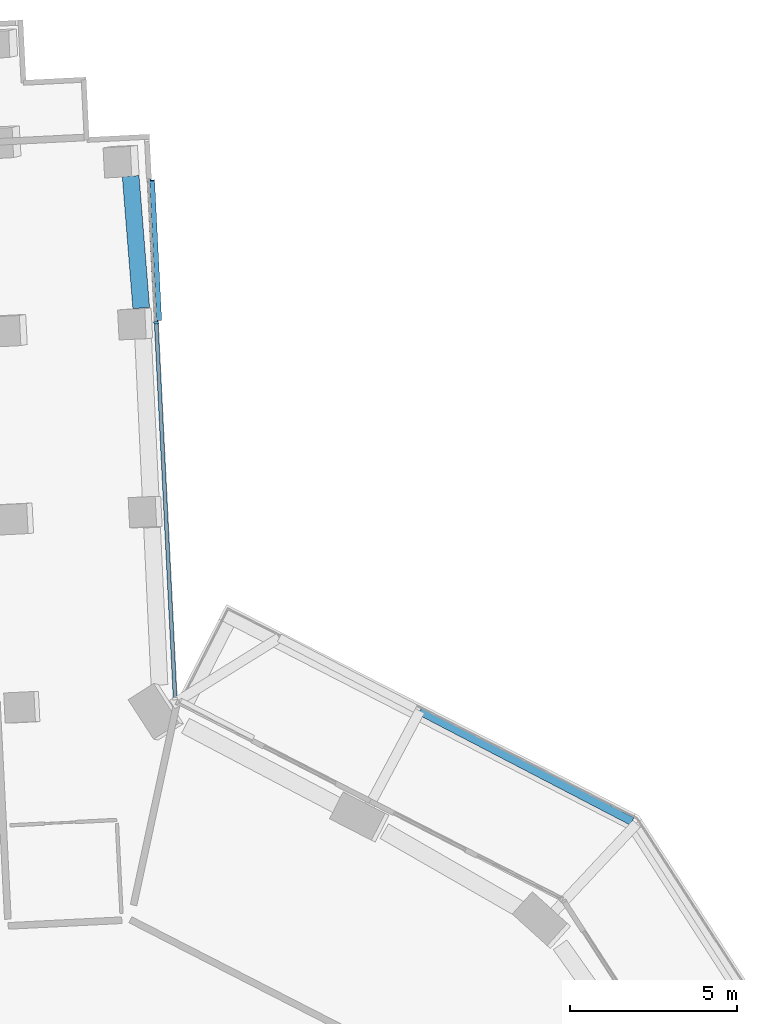
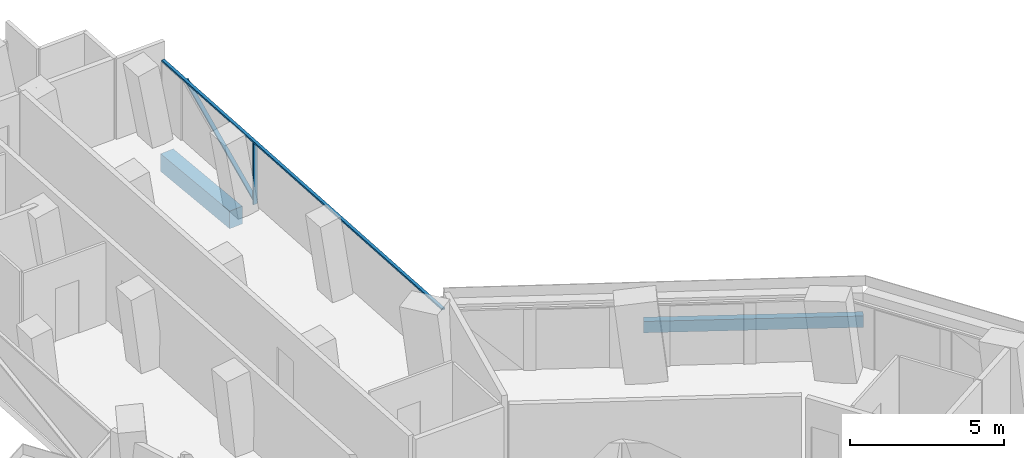
# One storey, part 10 of 25: 3 members, 2 beams, 1 element without a shape of its own.
"""IFC4 building model written with IfcOpenShell, lengths in metres."""

from ifc_helpers import new_model, si_unit, direction, frame, origin, origin_2d, place, context, subcontext, project, spatial, rectangle, extrude, material, layer, layer_set, material_profile, profile_set, type_object, element, aggregate, save


model = new_model("IFC4")

# Units and contexts
model_context = context("Model", 3, precision=1e-05, world=origin(), true_north=direction((0.0, 1.0)))
body_context = subcontext(model_context, "Body", "Model", "MODEL_VIEW")
ifc_project = project(units=[si_unit("LENGTHUNIT", "METRE"), si_unit("AREAUNIT", "SQUARE_METRE"), si_unit("VOLUMEUNIT", "CUBIC_METRE"), si_unit("PLANEANGLEUNIT", "RADIAN"), si_unit("MASSUNIT", "GRAM", prefix="KILO")], contexts=[model_context])

# Site, building, storey
site_placement = place(None, origin())
site = spatial("IfcSite", under=ifc_project, at=site_placement, CompositionType="ELEMENT")
building_placement = place(site_placement, origin())
building = spatial("IfcBuilding", under=site, at=building_placement, Name="Verdalira Terraces Hotel", CompositionType="ELEMENT")
storey_placement = place(building_placement, frame((0.0, 0.0, 46.0)))
storey = spatial("IfcBuildingStorey", under=building, at=storey_placement, Name="L09", CompositionType="ELEMENT", Elevation=46.0)

# Beam
ifc_material_1 = material(Name="Concrete C40", Category="concrete")
ifc_material_profile_1 = material_profile(ifc_material_1, rectangle(XDim=0.25, YDim=0.449951, at=origin_2d()), Name="RC 250X450")
ifc_profile_set_1 = profile_set([ifc_material_profile_1], Name="Concrete C40")
beam_type_1 = type_object("IfcBeamType", Name="Balcony edge beam RC 250X450 C40", PredefinedType="BEAM", material=ifc_profile_set_1)
beam_1_placement = place(storey_placement, frame((18.851074, 20.918213, -0.534912), z_axis=(-0.887060702, 0.461652803, 0.0), x_axis=(-0.461652803, -0.887060702, 0.0)))
element("IfcBeam", 1, at=beam_1_placement, inside=storey, type_object=beam_type_1, Name="Balcony edge beam R40-3", PredefinedType="BEAM", context=body_context, shape_type="SweptSolid", body=[
    extrude(rectangle(XDim=0.25, YDim=0.449951, at=origin_2d()), origin(), (0.0, 0.0, 1.0), 7.146729),
])

# Curtain wall, members
ifc_material_2 = material(Name="Clear glass", Category="glass")
ifc_layer = layer(ifc_material_2, 0.14990234375)
ifc_layer_set = layer_set([ifc_layer], Name="CW2 curtain wall")
curtain_wall_type = type_object("IfcCurtainWallType", Name="CW2 curtain wall", PredefinedType="NOTDEFINED", material=ifc_layer_set)
curtain_wall_placement = place(storey_placement, origin())
curtain_wall = element("IfcCurtainWall", 2, at=curtain_wall_placement, inside=storey, type_object=curtain_wall_type, Name="CW2 curtain wall L09 edge 0", PredefinedType="NOTDEFINED")
ifc_material_3 = material(Name="Terracotta frame", Category="masonry")
ifc_material_profile_2 = material_profile(ifc_material_3, rectangle(XDim=0.070068, YDim=0.149902, at=origin_2d()), Name="MU 70x150")
ifc_profile_set_2 = profile_set([ifc_material_profile_2], Name="Terracotta frame")
member_type_1 = type_object("IfcMemberType", Name="CW2 mullion 70x150", PredefinedType="MULLION", material=ifc_profile_set_2)
member_1_placement = place(storey_placement, frame((4.631348, 35.816406, 0.0), z_axis=(0.0, 0.0, 1.0), x_axis=(-0.050244318, 0.998736957, 0.0)))
member_1 = element("IfcMember", 3, at=member_1_placement, type_object=member_type_1, Name="CW2 mullion", PredefinedType="MULLION", context=body_context, shape_type="SweptSolid", body=[
    extrude(rectangle(XDim=0.070068, YDim=0.149902, at=origin_2d()), origin(), (0.0, 0.0, 1.0), 2.425049),
])
ifc_material_4 = material(Name="Terracotta frame", Category="masonry")
ifc_material_profile_3 = material_profile(ifc_material_4, rectangle(XDim=0.11499, YDim=0.064941, at=origin_2d()), Name="TR 65x115")
ifc_profile_set_3 = profile_set([ifc_material_profile_3], Name="Terracotta frame")
member_type_2 = type_object("IfcMemberType", Name="CW2 transom 65x115", PredefinedType="USERDEFINED", material=ifc_profile_set_3)
member_2_placement = place(storey_placement, frame((5.197998, 24.550537, 2.45752), z_axis=(-0.050239666, 0.998737191, 0.0), x_axis=(-0.998737191, -0.050239666, 0.0)))
member_2 = element("IfcMember", 4, at=member_2_placement, type_object=member_type_2, Name="CW2 transom", ObjectType="TRANSOM", PredefinedType="USERDEFINED", context=body_context, shape_type="SweptSolid", body=[
    extrude(rectangle(XDim=0.11499, YDim=0.064941, at=origin_2d()), origin(), (0.0, 0.0, 1.0), 16.770264),
])
ifc_material_5 = material(Name="Terracotta frame", Category="masonry")
ifc_material_profile_4 = material_profile(ifc_material_5, rectangle(XDim=0.149902, YDim=0.060059, at=origin_2d()), Name="GB 60x150")
ifc_profile_set_4 = profile_set([ifc_material_profile_4], Name="Terracotta frame")
member_type_3 = type_object("IfcMemberType", Name="Diagonal glazing bar 60x150", PredefinedType="USERDEFINED", material=ifc_profile_set_4)
member_3_placement = place(storey_placement, frame((4.718018, 35.903564, 0.0271), z_axis=(-0.043717696, 0.868558788, 0.493654125), x_axis=(-0.998735666, -0.050269968, 0.0)))
member_3 = element("IfcMember", 5, at=member_3_placement, type_object=member_type_3, Name="Diagonal glazing bar", ObjectType="GLAZING BAR", PredefinedType="USERDEFINED", context=body_context, shape_type="SweptSolid", body=[
    extrude(rectangle(XDim=0.149902, YDim=0.060059, at=origin_2d()), origin(), (0.0, 0.0, 1.0), 4.802734),
])
aggregate(curtain_wall, [member_1, member_2, member_3])

# Beam
ifc_material_6 = material(Name="Concrete C70", Category="concrete")
ifc_material_profile_5 = material_profile(ifc_material_6, rectangle(XDim=0.5, YDim=0.699951, at=origin_2d()), Name="RC 500X700")
ifc_profile_set_5 = profile_set([ifc_material_profile_5], Name="Concrete C70")
beam_type_2 = type_object("IfcBeamType", Name="Spandrel beam RC 500X700 C70", PredefinedType="SPANDREL", material=ifc_profile_set_5)
beam_2_placement = place(storey_placement, frame((4.182129, 36.258057, -0.659912), z_axis=(-0.079769762, 0.996813315, 0.0), x_axis=(-0.996813315, -0.079769762, 0.0)))
element("IfcBeam", 6, at=beam_2_placement, inside=storey, type_object=beam_type_2, Name="Spandrel beam B03", PredefinedType="SPANDREL", context=body_context, shape_type="SweptSolid", body=[
    extrude(rectangle(XDim=0.5, YDim=0.699951, at=origin_2d()), origin(), (0.0, 0.0, 1.0), 3.954346),
])

save(model, "model.ifc")
